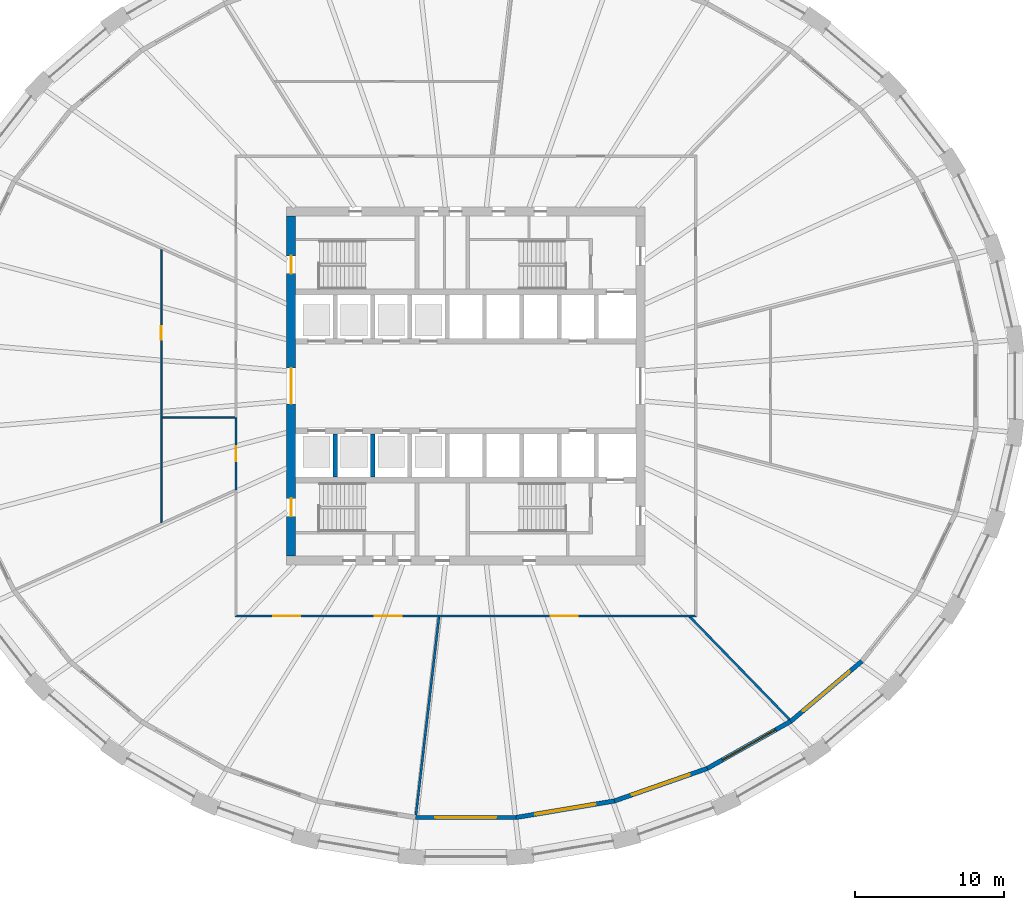
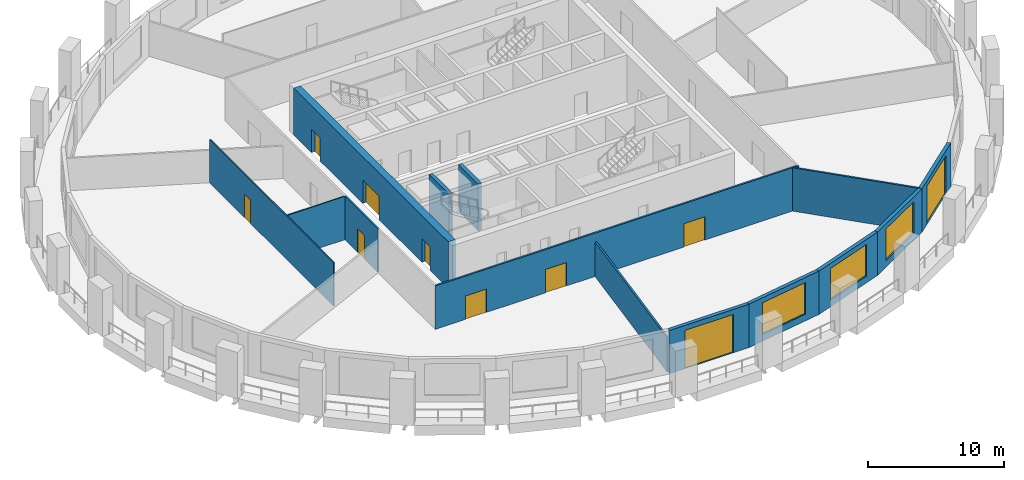
# One storey, part 3 of 10: 14 walls, 10 doors, 3 windows, 13 openings.
"""IFC4 building model written with IfcOpenShell, lengths in metres."""

from ifc_helpers import new_model, si_unit, direction, frame, frame_2d, origin, place, context, subcontext, project, spatial, polyline, rectangle, outline, extrude, material, layer, layer_set, type_object, element, fill, save


model = new_model("IFC4")

# Units and contexts
model_context = context("Model", 3, precision=1e-05, world=origin(), true_north=direction((0.0, 1.0)))
body_context = subcontext(model_context, "Body", "Model", "MODEL_VIEW")
ifc_project = project(units=[si_unit("LENGTHUNIT", "METRE"), si_unit("AREAUNIT", "SQUARE_METRE"), si_unit("VOLUMEUNIT", "CUBIC_METRE"), si_unit("PLANEANGLEUNIT", "RADIAN"), si_unit("MASSUNIT", "GRAM", prefix="KILO")], contexts=[model_context])

# Site, building, storey
site_placement = place(None, origin())
site = spatial("IfcSite", under=ifc_project, at=site_placement, CompositionType="ELEMENT")
building_placement = place(site_placement, origin())
building = spatial("IfcBuilding", under=site, at=building_placement, Name="Halqa Exchange Tower", CompositionType="ELEMENT")
storey_placement = place(building_placement, frame((0.0, 0.0, 65.5)))
storey = spatial("IfcBuildingStorey", under=building, at=storey_placement, Name="L14", CompositionType="ELEMENT", Elevation=65.5)

# Wall, openings, doors
ifc_material_1 = material(Name="Fire-rated gypsum board")
ifc_layer_1 = layer(ifc_material_1, 0.14990234375)
ifc_layer_set_1 = layer_set([ifc_layer_1], Name="Fire-rated gypsum board")
wall_type_1 = type_object("IfcWallType", Name="Fire partition EI 60 150", PredefinedType="PARTITIONING", material=ifc_layer_set_1)
wall_1_placement = place(storey_placement, frame((-15.47509765625, -15.39990234375, 0.0), z_axis=(0.0, 0.0, 1.0), x_axis=(1.0, 0.0, 0.0)))
wall_1 = element("IfcWall", 1, at=wall_1_placement, inside=storey, type_object=wall_type_1, Name="L14-PWL-007", PredefinedType="PARTITIONING", context=body_context, shape_type="SweptSolid", body=[
    extrude(outline(polyline([(0.000244140625, -0.074951171875), (1.9345703125, -0.074951171875), (3.868896484375, -0.074951171875), (5.80322265625, -0.074951171875), (7.73779296875, -0.074951171875), (9.672119140625, -0.074951171875), (11.6064453125, -0.074951171875), (13.540771484375, -0.074951171875), (15.47509765625, -0.074951171875), (17.409423828125, -0.074951171875), (19.34375, -0.074951171875), (21.278076171875, -0.074951171875), (23.21240234375, -0.074951171875), (25.14697265625, -0.074951171875), (27.081298828125, -0.074951171875), (29.015625, -0.074951171875), (30.949951171875, -0.074951171875), (30.800048828125, 0.074951171875), (28.884521484375, 0.074951171875), (26.96875, 0.074951171875), (25.05322265625, 0.074951171875), (23.1376953125, 0.074951171875), (21.221923828125, 0.074951171875), (19.306396484375, 0.074951171875), (17.390625, 0.074951171875), (15.47509765625, 0.074951171875), (13.5595703125, 0.074951171875), (11.643798828125, 0.074951171875), (9.728271484375, 0.074951171875), (7.8125, 0.074951171875), (5.89697265625, 0.074951171875), (3.9814453125, 0.074951171875), (2.065673828125, 0.074951171875), (0.150146484375, 0.074951171875), (0.000244140625, -0.074951171875)])), origin(), (0.0, 0.0, 1.0), 3.89990234375),
])
opening_1_placement = place(wall_1_placement, frame((2.577392578125, 0.0, 0.0)))
opening_1 = element("IfcOpeningElement", 2, at=opening_1_placement, cuts=wall_1, Name="Opening 04-09", PredefinedType="OPENING", context=body_context, shape_type="SweptSolid", body=[
    extrude(rectangle(XDim=1.800048828125, YDim=2.10009765625, at=frame_2d((0.89990234375, 1.050048828125))), frame((0.0, 0.0869140625, 0.0), z_axis=(0.0, -1.0, 0.0), x_axis=(1.0, 0.0, 0.0)), (0.0, 0.0, 1.0), 0.173828125),
])
opening_2_placement = place(wall_1_placement, frame((9.382568359375, 0.0, 0.0)))
opening_2 = element("IfcOpeningElement", 3, at=opening_2_placement, cuts=wall_1, Name="Opening 04-10", PredefinedType="OPENING", context=body_context, shape_type="SweptSolid", body=[
    extrude(rectangle(XDim=1.800048828125, YDim=2.10009765625, at=frame_2d((0.89990234375, 1.050048828125))), frame((0.0, 0.0869140625, 0.0), z_axis=(0.0, -1.0, 0.0), x_axis=(1.0, 0.0, 0.0)), (0.0, 0.0, 1.0), 0.173828125),
])
opening_3_placement = place(wall_1_placement, frame((21.155029296875, 0.0, 0.0)))
opening_3 = element("IfcOpeningElement", 4, at=opening_3_placement, cuts=wall_1, Name="Opening 04-11", PredefinedType="OPENING", context=body_context, shape_type="SweptSolid", body=[
    extrude(rectangle(XDim=1.800048828125, YDim=2.10009765625, at=frame_2d((0.89990234375, 1.050048828125))), frame((0.0, 0.0869140625, 0.0), z_axis=(0.0, -1.0, 0.0), x_axis=(1.0, 0.0, 0.0)), (0.0, 0.0, 1.0), 0.173828125),
])
ifc_material_2 = material(Name="Steel fire door leaf", Category="steel")
door_type_1 = type_object("IfcDoorType", Name="Fire door FD30S double 1800 x 2100", OperationType="DOUBLE_DOOR_SINGLE_SWING", PredefinedType="DOOR", material=ifc_material_2)
door_1_placement = place(opening_1_placement, frame((1.800048828125, 0.0, 0.0), z_axis=(0.0, 0.0, 1.0), x_axis=(-1.0, 0.0, 0.0)))
door_1 = element("IfcDoor", 5, at=door_1_placement, inside=storey, type_object=door_type_1, Name="L14-IDR-009", OperationType="DOUBLE_DOOR_SINGLE_SWING", OverallHeight=2.10009765625, OverallWidth=1.800048828125, PredefinedType="DOOR", context=body_context, shape_type="SweptSolid", body=[
    extrude(rectangle(XDim=1.800048828125, YDim=2.10009765625, at=frame_2d((0.89990234375, 1.050048828125))), frame((0.0, 0.02490234375, 0.0), z_axis=(0.0, -1.0, 0.0), x_axis=(1.0, 0.0, 0.0)), (0.0, 0.0, 1.0), 0.050048828125),
])
fill(opening_1, door_1)
door_2_placement = place(opening_2_placement, frame((1.800048828125, 0.0, 0.0), z_axis=(0.0, 0.0, 1.0), x_axis=(-1.0, 0.0, 0.0)))
door_2 = element("IfcDoor", 6, at=door_2_placement, inside=storey, type_object=door_type_1, Name="L14-IDR-010", OperationType="DOUBLE_DOOR_SINGLE_SWING", OverallHeight=2.10009765625, OverallWidth=1.800048828125, PredefinedType="DOOR", context=body_context, shape_type="SweptSolid", body=[
    extrude(rectangle(XDim=1.800048828125, YDim=2.10009765625, at=frame_2d((0.89990234375, 1.050048828125))), frame((0.0, 0.02490234375, 0.0), z_axis=(0.0, -1.0, 0.0), x_axis=(1.0, 0.0, 0.0)), (0.0, 0.0, 1.0), 0.050048828125),
])
fill(opening_2, door_2)
door_3_placement = place(opening_3_placement, frame((1.800048828125, 0.0, 0.0), z_axis=(0.0, 0.0, 1.0), x_axis=(-1.0, 0.0, 0.0)))
door_3 = element("IfcDoor", 7, at=door_3_placement, inside=storey, type_object=door_type_1, Name="L14-IDR-011", OperationType="DOUBLE_DOOR_SINGLE_SWING", OverallHeight=2.10009765625, OverallWidth=1.800048828125, PredefinedType="DOOR", context=body_context, shape_type="SweptSolid", body=[
    extrude(rectangle(XDim=1.800048828125, YDim=2.10009765625, at=frame_2d((0.89990234375, 1.050048828125))), frame((0.0, 0.02490234375, 0.0), z_axis=(0.0, -1.0, 0.0), x_axis=(1.0, 0.0, 0.0)), (0.0, 0.0, 1.0), 0.050048828125),
])
fill(opening_3, door_3)

# Walls
wall_2_placement = place(storey_placement, frame((-1.7978515625, -15.466552734375, 0.0), z_axis=(0.0, 0.0, 1.0), x_axis=(-0.115696073872, -0.993284661359, 0.0)))
element("IfcWall", 8, at=wall_2_placement, inside=storey, type_object=wall_type_1, Name="L14-PWL-012", PredefinedType="PARTITIONING", context=body_context, shape_type="SweptSolid", body=[
    extrude(outline(polyline([(13.372314453125, -0.074951171875), (13.372314453125, 0.030517578125), (13.3671875, 0.074951171875), (11.45751953125, 0.074951171875), (9.5478515625, 0.074951171875), (7.638427734375, 0.074951171875), (5.728759765625, 0.074951171875), (3.819091796875, 0.074951171875), (1.90966796875, 0.074951171875), (0.0, 0.074951171875), (0.0, 0.072998046875), (0.017333984375, -0.074951171875), (1.925048828125, -0.074951171875), (3.8330078125, -0.074951171875), (5.74072265625, -0.074951171875), (7.648681640625, -0.074951171875), (9.556640625, -0.074951171875), (11.46435546875, -0.074951171875), (13.372314453125, -0.074951171875)])), origin(), (0.0, 0.0, 1.0), 3.10009765625),
])
wall_3_placement = place(storey_placement, frame((21.683349609375, -22.3369140625, 0.0), z_axis=(0.0, 0.0, 1.0), x_axis=(-0.696500320059, 0.71755648151, 0.0)))
element("IfcWall", 9, at=wall_3_placement, inside=storey, type_object=wall_type_1, Name="L14-PWL-019", PredefinedType="PARTITIONING", context=body_context, shape_type="SweptSolid", body=[
    extrude(outline(polyline([(0.0, -0.074951171875), (1.89794921875, -0.074951171875), (3.796142578125, -0.074951171875), (5.694091796875, -0.074951171875), (7.592041015625, -0.074951171875), (9.490234375, -0.074951171875), (9.63525390625, 0.074462890625), (9.63525390625, 0.074951171875), (7.713134765625, 0.074951171875), (5.791015625, 0.074951171875), (3.868896484375, 0.074951171875), (1.946533203125, 0.074951171875), (0.0244140625, 0.074951171875), (0.0048828125, 0.00048828125), (0.0, -0.071533203125), (0.0, -0.074951171875)])), origin(), (0.0, 0.0, 1.0), 3.89990234375),
])

# Wall, opening, door
ifc_material_3 = material(Name="Fire-rated glazing", Category="glass")
ifc_layer_2 = layer(ifc_material_3, 0.1201171875)
ifc_layer_set_2 = layer_set([ifc_layer_2], Name="Fire-rated glazing")
wall_type_2 = type_object("IfcWallType", Name="Glazed fire partition EI 60 120", PredefinedType="PARTITIONING", material=ifc_layer_set_2)
wall_4_placement = place(storey_placement, frame((-15.39990234375, -6.9599609375, 0.0), z_axis=(0.0, 0.0, 1.0), x_axis=(0.0, 1.0, 0.0)))
wall_4 = element("IfcWall", 10, at=wall_4_placement, inside=storey, type_object=wall_type_2, Name="L14-PWL-008", PredefinedType="PARTITIONING", context=body_context, shape_type="SweptSolid", body=[
    extrude(rectangle(XDim=4.83984375, YDim=0.1201171875, at=frame_2d((2.419921875, 0.0))), origin(), (0.0, 0.0, 1.0), 3.89990234375),
])
opening_4_placement = place(wall_4_placement, frame((1.919921875, 0.0, 0.0)))
opening_4 = element("IfcOpeningElement", 11, at=opening_4_placement, cuts=wall_4, Name="Opening 04-07", PredefinedType="OPENING", context=body_context, shape_type="SweptSolid", body=[
    extrude(rectangle(XDim=1.0, YDim=2.10009765625, at=frame_2d((0.5, 1.050048828125))), frame((0.0, 0.072021484375, 0.0), z_axis=(0.0, -1.0, 0.0), x_axis=(1.0, 0.0, 0.0)), (0.0, 0.0, 1.0), 0.14404296875),
])
door_type_2 = type_object("IfcDoorType", Name="Fire door FD30S 1000 x 2100", OperationType="SINGLE_SWING_LEFT", PredefinedType="DOOR", material=ifc_material_2)
door_4_placement = place(opening_4_placement, origin())
door_4 = element("IfcDoor", 12, at=door_4_placement, inside=storey, type_object=door_type_2, Name="L14-IDR-007", OperationType="SINGLE_SWING_RIGHT", OverallHeight=2.10009765625, OverallWidth=1.0, PredefinedType="DOOR", context=body_context, shape_type="SweptSolid", body=[
    extrude(rectangle(XDim=1.0, YDim=2.10009765625, at=frame_2d((0.5, 1.050048828125))), frame((0.0, 0.02490234375, 0.0), z_axis=(0.0, -1.0, 0.0), x_axis=(1.0, 0.0, 0.0)), (0.0, 0.0, 1.0), 0.050048828125),
])
fill(opening_4, door_4)

ifc_material_4 = material(Name="Gypsum board")
ifc_layer_3 = layer(ifc_material_4, 0.10009765625)
ifc_layer_set_3 = layer_set([ifc_layer_3], Name="Gypsum board")
wall_type_3 = type_object("IfcWallType", Name="Partition 100 gypsum", PredefinedType="PARTITIONING", material=ifc_layer_set_3)
wall_5_placement = place(storey_placement, frame((-20.39990234375, -9.158447265625, 0.0), z_axis=(0.0, 0.0, 1.0), x_axis=(0.0, 1.0, 0.0)))
wall_5 = element("IfcWall", 13, at=wall_5_placement, inside=storey, type_object=wall_type_3, Name="L14-PWL-003", PredefinedType="PARTITIONING", context=body_context, shape_type="SweptSolid", body=[
    extrude(outline(polyline([(0.044921875, -0.050048828125), (1.78076171875, -0.050048828125), (3.5166015625, -0.050048828125), (5.252685546875, -0.050048828125), (6.988525390625, -0.050048828125), (6.988525390625, -0.0498046875), (7.08837890625, -0.0498046875), (7.08837890625, -0.050048828125), (8.952392578125, -0.050048828125), (10.81640625, -0.050048828125), (12.68017578125, -0.050048828125), (14.544189453125, -0.050048828125), (16.407958984375, -0.050048828125), (18.27197265625, -0.050048828125), (18.31689453125, 0.04931640625), (18.31689453125, 0.050048828125), (16.485107421875, 0.050048828125), (14.653564453125, 0.050048828125), (12.82177734375, 0.050048828125), (10.990234375, 0.050048828125), (9.158447265625, 0.050048828125), (7.32666015625, 0.050048828125), (5.4951171875, 0.050048828125), (3.663330078125, 0.050048828125), (1.831787109375, 0.050048828125), (0.0, 0.050048828125), (0.0, 0.04931640625), (0.044921875, -0.050048828125)])), origin(), (0.0, 0.0, 1.0), 3.89990234375),
])
opening_5_placement = place(wall_5_placement, frame((12.258544921875, 0.0, 0.0)))
opening_5 = element("IfcOpeningElement", 14, at=opening_5_placement, cuts=wall_5, Name="Opening 04-14", PredefinedType="OPENING", context=body_context, shape_type="SweptSolid", body=[
    extrude(rectangle(XDim=0.89990234375, YDim=2.10009765625, at=frame_2d((0.449951171875, 1.050048828125))), frame((0.0, 0.06201171875, 0.0), z_axis=(0.0, -1.0, 0.0), x_axis=(1.0, 0.0, 0.0)), (0.0, 0.0, 1.0), 0.1240234375),
])
ifc_material_5 = material(Name="Timber door leaf", Category="wood")
door_type_3 = type_object("IfcDoorType", Name="Door 900 x 2100", OperationType="SINGLE_SWING_LEFT", PredefinedType="DOOR", material=ifc_material_5)
door_5_placement = place(opening_5_placement, frame((0.89990234375, 0.0, 0.0), z_axis=(0.0, 0.0, 1.0), x_axis=(-1.0, 0.0, 0.0)))
door_5 = element("IfcDoor", 15, at=door_5_placement, inside=storey, type_object=door_type_3, Name="L14-IDR-014", OperationType="SINGLE_SWING_RIGHT", OverallHeight=2.10009765625, OverallWidth=0.89990234375, PredefinedType="DOOR", context=body_context, shape_type="SweptSolid", body=[
    extrude(rectangle(XDim=0.89990234375, YDim=2.10009765625, at=frame_2d((0.449951171875, 1.050048828125))), frame((0.0, 0.02490234375, 0.0), z_axis=(0.0, -1.0, 0.0), x_axis=(1.0, 0.0, 0.0)), (0.0, 0.0, 1.0), 0.050048828125),
])
fill(opening_5, door_5)

# Walls
wall_6_placement = place(storey_placement, frame((-20.35009765625, -2.1201171875, 0.0), z_axis=(0.0, 0.0, 1.0), x_axis=(1.0, 0.0, 0.0)))
element("IfcWall", 16, at=wall_6_placement, inside=storey, type_object=wall_type_3, Name="L14-PWL-004", PredefinedType="PARTITIONING", context=body_context, shape_type="SweptSolid", body=[
    extrude(outline(polyline([(4.8896484375, -0.050048828125), (4.8896484375, 0.0), (4.875, 0.0), (4.875, 0.050048828125), (3.25, 0.050048828125), (1.625, 0.050048828125), (0.0, 0.050048828125), (0.0, -0.050048828125), (1.6298828125, -0.050048828125), (3.259765625, -0.050048828125), (4.8896484375, -0.050048828125)])), origin(), (0.0, 0.0, 1.0), 3.89990234375),
])
ifc_material_6 = material(Name="Concrete C60/75", Category="concrete")
ifc_layer_4 = layer(ifc_material_6, 0.300048828125)
ifc_layer_set_4 = layer_set([ifc_layer_4], Name="Concrete C60/75")
wall_type_4 = type_object("IfcWallType", Name="RC core wall 300", PredefinedType="SHEAR", material=ifc_layer_set_4)
for number, where, z_axis, x_axis, name in (
    (17, (-8.75, -6.10009765625, 0.0), (0.0, 0.0, 1.0), (0.0, 1.0, 0.0), "Shaft divider S1"),
    (18, (-6.25, -6.10009765625, 0.0), (0.0, 0.0, 1.0), (0.0, 1.0, 0.0), "Shaft divider S2"),
):
    element("IfcWall", number, at=place(storey_placement, frame(where, z_axis=z_axis, x_axis=x_axis)), inside=storey, type_object=wall_type_4, Name=name, PredefinedType="SHEAR", context=body_context, shape_type="SweptSolid", body=[
        extrude(rectangle(XDim=2.900146484375, YDim=0.300048828125, at=frame_2d((1.4501953125, 0.0))), origin(), (0.0, 0.0, 1.0), 4.199951171875),
    ])

# Wall, openings, doors
ifc_material_7 = material(Name="Concrete C80/95", Category="concrete")
ifc_layer_5 = layer(ifc_material_7, 0.60009765625)
ifc_layer_set_5 = layer_set([ifc_layer_5], Name="Concrete C80/95")
wall_type_5 = type_object("IfcWallType", Name="RC core wall 600 C80/95", PredefinedType="SHEAR", material=ifc_layer_set_5)
wall_7_placement = place(storey_placement, frame((-11.699951171875, -11.39990234375, 0.0), z_axis=(0.0, 0.0, 1.0), x_axis=(0.0, 1.0, 0.0)))
wall_7 = element("IfcWall", 19, at=wall_7_placement, inside=storey, type_object=wall_type_5, Name="Core wall west", PredefinedType="SHEAR", context=body_context, shape_type="SweptSolid", body=[
    extrude(rectangle(XDim=22.7998046875, YDim=0.60009765625, at=frame_2d((11.39990234375, 0.0))), origin(), (0.0, 0.0, 1.0), 4.199951171875),
])
opening_6_placement = place(wall_7_placement, frame((10.199951171875, 0.0, 0.0)))
opening_6 = element("IfcOpeningElement", 20, at=opening_6_placement, cuts=wall_7, Name="Opening T04-C13", PredefinedType="OPENING", context=body_context, shape_type="SweptSolid", body=[
    extrude(rectangle(XDim=2.39990234375, YDim=2.10009765625, at=frame_2d((1.199951171875, 1.050048828125))), frame((0.0, 0.31201171875, 0.0), z_axis=(0.0, -1.0, 0.0), x_axis=(1.0, 0.0, 0.0)), (0.0, 0.0, 1.0), 0.6240234375),
])
opening_7_placement = place(wall_7_placement, frame((18.925048828125, 0.0, 0.0)))
opening_7 = element("IfcOpeningElement", 21, at=opening_7_placement, cuts=wall_7, Name="Opening T04-C15", PredefinedType="OPENING", context=body_context, shape_type="SweptSolid", body=[
    extrude(rectangle(XDim=1.199951171875, YDim=2.10009765625, at=frame_2d((0.60009765625, 1.050048828125))), frame((0.0, 0.31201171875, 0.0), z_axis=(0.0, -1.0, 0.0), x_axis=(1.0, 0.0, 0.0)), (0.0, 0.0, 1.0), 0.6240234375),
])
opening_8_placement = place(wall_7_placement, frame((2.675048828125, 0.0, 0.0)))
opening_8 = element("IfcOpeningElement", 22, at=opening_8_placement, cuts=wall_7, Name="Opening T04-C17", PredefinedType="OPENING", context=body_context, shape_type="SweptSolid", body=[
    extrude(rectangle(XDim=1.199951171875, YDim=2.10009765625, at=frame_2d((0.60009765625, 1.050048828125))), frame((0.0, 0.31201171875, 0.0), z_axis=(0.0, -1.0, 0.0), x_axis=(1.0, 0.0, 0.0)), (0.0, 0.0, 1.0), 0.6240234375),
])
door_type_4 = type_object("IfcDoorType", Name="Lobby double door FD60 2400 x 2100", OperationType="DOUBLE_DOOR_SINGLE_SWING", PredefinedType="DOOR", material=ifc_material_2)
door_6_placement = place(opening_6_placement, frame((2.39990234375, 0.0, 0.0), z_axis=(0.0, 0.0, 1.0), x_axis=(-1.0, 0.0, 0.0)))
door_6 = element("IfcDoor", 23, at=door_6_placement, inside=storey, type_object=door_type_4, Name="Lift lobby double door", OperationType="DOUBLE_DOOR_SINGLE_SWING", OverallHeight=2.10009765625, OverallWidth=2.39990234375, PredefinedType="DOOR", context=body_context, shape_type="SweptSolid", body=[
    extrude(rectangle(XDim=2.39990234375, YDim=2.10009765625, at=frame_2d((1.199951171875, 1.050048828125))), frame((0.0, 0.02490234375, 0.0), z_axis=(0.0, -1.0, 0.0), x_axis=(1.0, 0.0, 0.0)), (0.0, 0.0, 1.0), 0.050048828125),
])
fill(opening_6, door_6)
door_type_5 = type_object("IfcDoorType", Name="Stair door FD90 1200 x 2100", OperationType="SINGLE_SWING_LEFT", PredefinedType="DOOR", material=ifc_material_2)
door_7_placement = place(opening_7_placement, frame((1.199951171875, 0.0, 0.0), z_axis=(0.0, 0.0, 1.0), x_axis=(-1.0, 0.0, 0.0)))
door_7 = element("IfcDoor", 24, at=door_7_placement, inside=storey, type_object=door_type_5, Name="Stair door ST1", OperationType="SINGLE_SWING_LEFT", OverallHeight=2.10009765625, OverallWidth=1.199951171875, PredefinedType="DOOR", context=body_context, shape_type="SweptSolid", body=[
    extrude(rectangle(XDim=1.199951171875, YDim=2.10009765625, at=frame_2d((0.60009765625, 1.050048828125))), frame((0.0, 0.02490234375, 0.0), z_axis=(0.0, -1.0, 0.0), x_axis=(1.0, 0.0, 0.0)), (0.0, 0.0, 1.0), 0.050048828125),
])
fill(opening_7, door_7)
door_8_placement = place(opening_8_placement, frame((1.199951171875, 0.0, 0.0), z_axis=(0.0, 0.0, 1.0), x_axis=(-1.0, 0.0, 0.0)))
door_8 = element("IfcDoor", 25, at=door_8_placement, inside=storey, type_object=door_type_5, Name="Stair door ST3", OperationType="SINGLE_SWING_LEFT", OverallHeight=2.10009765625, OverallWidth=1.199951171875, PredefinedType="DOOR", context=body_context, shape_type="SweptSolid", body=[
    extrude(rectangle(XDim=1.199951171875, YDim=2.10009765625, at=frame_2d((0.60009765625, 1.050048828125))), frame((0.0, 0.02490234375, 0.0), z_axis=(0.0, -1.0, 0.0), x_axis=(1.0, 0.0, 0.0)), (0.0, 0.0, 1.0), 0.050048828125),
])
fill(opening_8, door_8)

# Wall, opening, door
ifc_material_8 = material(Name="Limestone cladding", Category="masonry")
ifc_layer_6 = layer(ifc_material_8, 0.0400390625)
ifc_material_9 = material(Name="Ventilated cavity")
ifc_layer_7 = layer(ifc_material_9, 0.030029296875, ventilated=True)
ifc_material_10 = material(Name="Mineral wool insulation")
ifc_layer_8 = layer(ifc_material_10, 0.10009765625)
ifc_material_11 = material(Name="Concrete C30/37", Category="concrete")
ifc_layer_9 = layer(ifc_material_11, 0.10009765625)
ifc_material_12 = material(Name="Internal plaster")
ifc_layer_10 = layer(ifc_material_12, 0.030029296875)
ifc_layer_set_6 = layer_set([ifc_layer_6, ifc_layer_7, ifc_layer_8, ifc_layer_9, ifc_layer_10], Name="Stone-faced insulated wall 300")
wall_type_6 = type_object("IfcWallType", Name="Stone-faced insulated wall 300", PredefinedType="STANDARD", material=ifc_layer_set_6)
wall_8_placement = place(storey_placement, frame((-3.362060546875, -28.902587890625, 0.0), z_axis=(0.0, 0.0, 1.0), x_axis=(1.0, 0.0, 0.0)))
wall_8 = element("IfcWall", 26, at=wall_8_placement, inside=storey, type_object=wall_type_6, Name="Glass-line wall 24", PredefinedType="STANDARD", context=body_context, shape_type="SweptSolid", body=[
    extrude(outline(polyline([(-0.012451171875, -0.14990234375), (6.736572265625, -0.14990234375), (6.711669921875, 0.14990234375), (0.012451171875, 0.14990234375), (-0.012451171875, -0.14990234375)])), origin(), (0.0, 0.0, 1.0), 3.89990234375),
])
opening_9_placement = place(wall_8_placement, frame((1.31201171875, 0.0, 0.0)))
opening_9 = element("IfcOpeningElement", 27, at=opening_9_placement, cuts=wall_8, Name="Opening LG-F1-06", PredefinedType="OPENING", context=body_context, shape_type="SweptSolid", body=[
    extrude(rectangle(XDim=4.10009765625, YDim=3.449951171875, at=frame_2d((2.050048828125, 1.72509765625))), frame((0.0, 0.162109375, 0.0), z_axis=(0.0, -1.0, 0.0), x_axis=(1.0, 0.0, 0.0)), (0.0, 0.0, 1.0), 0.323974609375),
])
ifc_material_13 = material(Name="Clear low-emissivity glass in aluminium frame", Category="aluminium")
door_type_6 = type_object("IfcDoorType", Name="Glazed sliding loggia door 4100 x 3450", OperationType="DOUBLE_DOOR_SLIDING", PredefinedType="DOOR", material=ifc_material_13)
door_9_placement = place(opening_9_placement, origin())
door_9 = element("IfcDoor", 28, at=door_9_placement, inside=storey, type_object=door_type_6, Name="Loggia door 6", OperationType="DOUBLE_DOOR_SLIDING", OverallHeight=3.449951171875, OverallWidth=4.10009765625, PredefinedType="DOOR", context=body_context, shape_type="SweptSolid", body=[
    extrude(rectangle(XDim=4.10009765625, YDim=3.449951171875, at=frame_2d((2.050048828125, 1.72509765625))), frame((0.0, 0.02490234375, 0.0), z_axis=(0.0, -1.0, 0.0), x_axis=(1.0, 0.0, 0.0)), (0.0, 0.0, 1.0), 0.050048828125),
])
fill(opening_9, door_9)

# Wall, opening, window
wall_9_placement = place(storey_placement, frame((3.362060546875, -28.902587890625, 0.0), z_axis=(0.0, 0.0, 1.0), x_axis=(0.986153133093, 0.165837263877, 0.0)))
wall_9 = element("IfcWall", 29, at=wall_9_placement, inside=storey, type_object=wall_type_6, Name="Glass-line wall 25", PredefinedType="STANDARD", context=body_context, shape_type="SweptSolid", body=[
    extrude(outline(polyline([(-0.012451171875, -0.14990234375), (6.70068359375, -0.14990234375), (6.67529296875, 0.14990234375), (0.012451171875, 0.14990234375), (-0.012451171875, -0.14990234375)])), origin(), (0.0, 0.0, 1.0), 3.89990234375),
])
opening_10_placement = place(wall_9_placement, frame((1.294189453125, 0.0, 0.60009765625)))
opening_10 = element("IfcOpeningElement", 30, at=opening_10_placement, cuts=wall_9, Name="Opening W-F1-25", PredefinedType="OPENING", context=body_context, shape_type="SweptSolid", body=[
    extrude(rectangle(XDim=4.10009765625, YDim=2.85009765625, at=frame_2d((2.050048828125, 1.425048828125))), frame((0.0, 0.162109375, 0.0), z_axis=(0.0, -1.0, 0.0), x_axis=(1.0, 0.0, 0.0)), (0.0, 0.0, 1.0), 0.323974609375),
])
window_type = type_object("IfcWindowType", Name="Fixed clear glazed window 4100 x 2850", PartitioningType="TRIPLE_PANEL_VERTICAL", PredefinedType="WINDOW", material=ifc_material_13)
window_1_placement = place(opening_10_placement, origin())
window_1 = element("IfcWindow", 31, at=window_1_placement, inside=storey, type_object=window_type, Name="Window 1", OverallHeight=2.85009765625, OverallWidth=4.10009765625, PartitioningType="TRIPLE_PANEL_VERTICAL", PredefinedType="WINDOW", context=body_context, shape_type="SweptSolid", body=[
    extrude(rectangle(XDim=4.10009765625, YDim=2.85009765625, at=frame_2d((2.050048828125, 1.425048828125))), frame((0.0, 0.030029296875, 0.0), z_axis=(0.0, -1.0, 0.0), x_axis=(1.0, 0.0, 0.0)), (0.0, 0.0, 1.0), 0.06005859375),
])
fill(opening_10, window_1)

wall_10_placement = place(storey_placement, frame((9.95751953125, -27.79345703125, 0.0), z_axis=(0.0, 0.0, 1.0), x_axis=(0.94380689486, 0.330497420889, 0.0)))
wall_10 = element("IfcWall", 32, at=wall_10_placement, inside=storey, type_object=wall_type_6, Name="Glass-line wall 26", PredefinedType="STANDARD", context=body_context, shape_type="SweptSolid", body=[
    extrude(outline(polyline([(-0.0126953125, -0.14990234375), (6.597412109375, -0.14990234375), (6.570556640625, 0.14990234375), (0.0126953125, 0.14990234375), (-0.0126953125, -0.14990234375)])), origin(), (0.0, 0.0, 1.0), 3.89990234375),
])
opening_11_placement = place(wall_10_placement, frame((1.241943359375, 0.0, 0.60009765625)))
opening_11 = element("IfcOpeningElement", 33, at=opening_11_placement, cuts=wall_10, Name="Opening W-F1-26", PredefinedType="OPENING", context=body_context, shape_type="SweptSolid", body=[
    extrude(rectangle(XDim=4.10009765625, YDim=2.85009765625, at=frame_2d((2.050048828125, 1.425048828125))), frame((0.0, 0.162109375, 0.0), z_axis=(0.0, -1.0, 0.0), x_axis=(1.0, 0.0, 0.0)), (0.0, 0.0, 1.0), 0.323974609375),
])
window_2_placement = place(opening_11_placement, origin())
window_2 = element("IfcWindow", 34, at=window_2_placement, inside=storey, type_object=window_type, Name="Window 1", OverallHeight=2.85009765625, OverallWidth=4.10009765625, PartitioningType="TRIPLE_PANEL_VERTICAL", PredefinedType="WINDOW", context=body_context, shape_type="SweptSolid", body=[
    extrude(rectangle(XDim=4.10009765625, YDim=2.85009765625, at=frame_2d((2.050048828125, 1.425048828125))), frame((0.0, 0.030029296875, 0.0), z_axis=(0.0, -1.0, 0.0), x_axis=(1.0, 0.0, 0.0)), (0.0, 0.0, 1.0), 0.06005859375),
])
fill(opening_11, window_2)

wall_11_placement = place(storey_placement, frame((16.171630859375, -25.617431640625, 0.0), z_axis=(0.0, 0.0, 1.0), x_axis=(0.870673928577, 0.491860661262, 0.0)))
wall_11 = element("IfcWall", 35, at=wall_11_placement, inside=storey, type_object=wall_type_6, Name="Glass-line wall 27", PredefinedType="STANDARD", context=body_context, shape_type="SweptSolid", body=[
    extrude(outline(polyline([(-0.013427734375, -0.14990234375), (6.43896484375, -0.14990234375), (6.41064453125, 0.14990234375), (0.013427734375, 0.14990234375), (-0.013427734375, -0.14990234375)])), origin(), (0.0, 0.0, 1.0), 3.89990234375),
])
opening_12_placement = place(wall_11_placement, frame((1.16259765625, 0.0, 0.60009765625)))
opening_12 = element("IfcOpeningElement", 36, at=opening_12_placement, cuts=wall_11, Name="Opening W-F1-27", PredefinedType="OPENING", context=body_context, shape_type="SweptSolid", body=[
    extrude(rectangle(XDim=4.10009765625, YDim=2.85009765625, at=frame_2d((2.050048828125, 1.425048828125))), frame((0.0, 0.162109375, 0.0), z_axis=(0.0, -1.0, 0.0), x_axis=(1.0, 0.0, 0.0)), (0.0, 0.0, 1.0), 0.323974609375),
])
window_3_placement = place(opening_12_placement, origin())
window_3 = element("IfcWindow", 37, at=window_3_placement, inside=storey, type_object=window_type, Name="Window 1", OverallHeight=2.85009765625, OverallWidth=4.10009765625, PartitioningType="TRIPLE_PANEL_VERTICAL", PredefinedType="WINDOW", context=body_context, shape_type="SweptSolid", body=[
    extrude(rectangle(XDim=4.10009765625, YDim=2.85009765625, at=frame_2d((2.050048828125, 1.425048828125))), frame((0.0, 0.030029296875, 0.0), z_axis=(0.0, -1.0, 0.0), x_axis=(1.0, 0.0, 0.0)), (0.0, 0.0, 1.0), 0.06005859375),
])
fill(opening_12, window_3)

# Wall, opening, door
wall_12_placement = place(storey_placement, frame((21.765625, -22.457275390625, 0.0), z_axis=(0.0, 0.0, 1.0), x_axis=(0.763655167989, 0.645624336905, 0.0)))
wall_12 = element("IfcWall", 38, at=wall_12_placement, inside=storey, type_object=wall_type_6, Name="Glass-line wall 28", PredefinedType="STANDARD", context=body_context, shape_type="SweptSolid", body=[
    extrude(outline(polyline([(-0.01416015625, -0.14990234375), (6.247314453125, -0.14990234375), (6.217041015625, 0.14990234375), (0.01416015625, 0.14990234375), (-0.01416015625, -0.14990234375)])), origin(), (0.0, 0.0, 1.0), 3.89990234375),
])
opening_13_placement = place(wall_12_placement, frame((1.066162109375, 0.0, 0.0)))
opening_13 = element("IfcOpeningElement", 39, at=opening_13_placement, cuts=wall_12, Name="Opening LG-F1-07", PredefinedType="OPENING", context=body_context, shape_type="SweptSolid", body=[
    extrude(rectangle(XDim=4.10009765625, YDim=3.449951171875, at=frame_2d((2.050048828125, 1.72509765625))), frame((0.0, 0.162109375, 0.0), z_axis=(0.0, -1.0, 0.0), x_axis=(1.0, 0.0, 0.0)), (0.0, 0.0, 1.0), 0.323974609375),
])
door_10_placement = place(opening_13_placement, origin())
door_10 = element("IfcDoor", 40, at=door_10_placement, inside=storey, type_object=door_type_6, Name="Loggia door 7", OperationType="DOUBLE_DOOR_SLIDING", OverallHeight=3.449951171875, OverallWidth=4.10009765625, PredefinedType="DOOR", context=body_context, shape_type="SweptSolid", body=[
    extrude(rectangle(XDim=4.10009765625, YDim=3.449951171875, at=frame_2d((2.050048828125, 1.72509765625))), frame((0.0, 0.02490234375, 0.0), z_axis=(0.0, -1.0, 0.0), x_axis=(1.0, 0.0, 0.0)), (0.0, 0.0, 1.0), 0.050048828125),
])
fill(opening_13, door_10)

save(model, "model.ifc")
